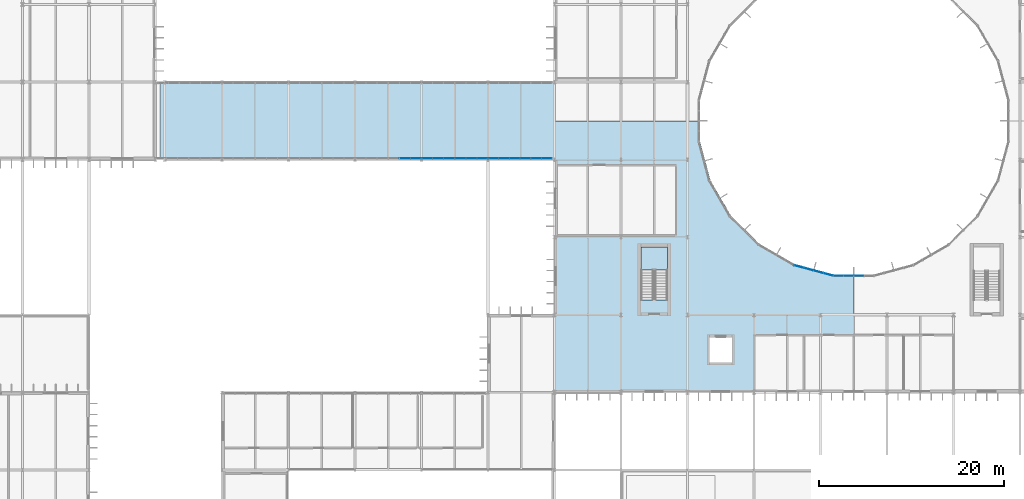
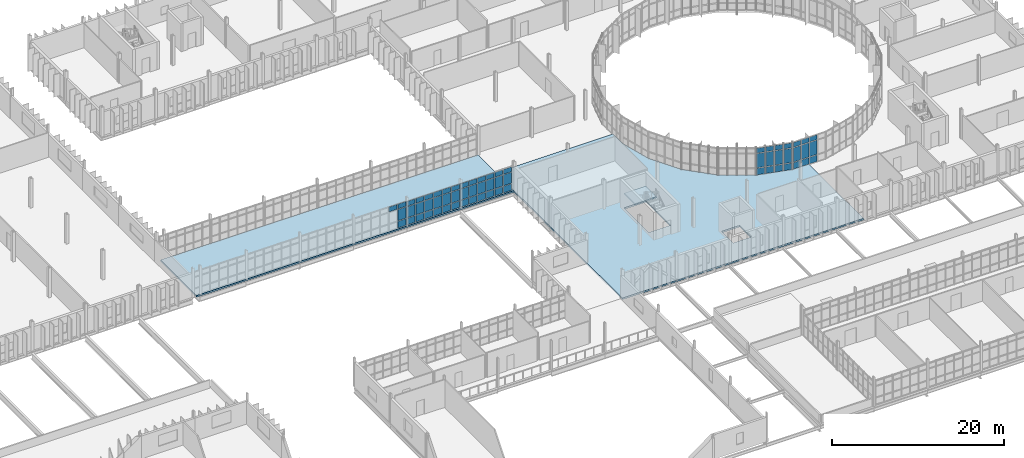
# One storey, part 71 of 119: 61 plates, 3 slabs, 6 elements without a shape of their own.
"""IFC4 building model written with IfcOpenShell, lengths in metres."""

from ifc_helpers import new_model, si_unit, direction, frame, origin, origin_2d, place, context, subcontext, project, spatial, polyline, rectangle, outline, extrude, material, layer, layer_set, type_object, element, aggregate, save


model = new_model("IFC4")

# Units and contexts
model_context = context("Model", 3, precision=1e-05, world=origin(), true_north=direction((0.0, 1.0)))
body_context = subcontext(model_context, "Body", "Model", "MODEL_VIEW")
ifc_project = project(units=[si_unit("LENGTHUNIT", "METRE"), si_unit("AREAUNIT", "SQUARE_METRE"), si_unit("VOLUMEUNIT", "CUBIC_METRE"), si_unit("PLANEANGLEUNIT", "RADIAN"), si_unit("MASSUNIT", "GRAM", prefix="KILO")], contexts=[model_context])

# Site, building, storey
site_placement = place(None, origin())
site = spatial("IfcSite", under=ifc_project, at=site_placement, CompositionType="ELEMENT")
building_placement = place(site_placement, origin())
building = spatial("IfcBuilding", under=site, at=building_placement, Name="Qelthora Terrace Specialist Clinic", CompositionType="ELEMENT")
storey_placement = place(building_placement, frame((0.0, 0.0, 4.800048828125)))
storey = spatial("IfcBuildingStorey", under=building, at=storey_placement, Name="L01", CompositionType="ELEMENT", Elevation=4.800048828125)

# Curtain wall, plates
ifc_material_1 = material(Name="Aluminium anodized bronze", Category="aluminium")
curtain_wall_type_1 = type_object("IfcCurtainWallType", Name="CW-CRTE-UPP", PredefinedType="NOTDEFINED", material=ifc_material_1)
curtain_wall_1_placement = place(storey_placement, origin())
curtain_wall_1 = element("IfcCurtainWall", 1, at=curtain_wall_1_placement, inside=storey, type_object=curtain_wall_type_1, Name="Curtain wall CW-CE-L01-17", PredefinedType="NOTDEFINED")
ifc_material_2 = material(Name="Low-E triple-silver insulating glass", Category="glass")
ifc_layer_1 = layer(ifc_material_2, 0.035888671875)
ifc_layer_set_1 = layer_set([ifc_layer_1], Name="Low-E triple-silver insulating glass")
plate_type = type_object("IfcPlateType", Name="CWP-IGU-36", PredefinedType="CURTAIN_PANEL", material=ifc_layer_set_1)
plate_1_placement = place(storey_placement, frame((120.0693359375, 47.220947265625, 0.0849609375), z_axis=(0.0, 0.0, 1.0), x_axis=(0.965925826289, -0.258819045103, 0.0)))
plate_1 = element("IfcPlate", 2, at=plate_1_placement, type_object=plate_type, Name="CW-CE-L01-17 glazed panel 1", PredefinedType="CURTAIN_PANEL", context=body_context, shape_type="SweptSolid", body=[
    extrude(rectangle(XDim=0.996337890625, YDim=0.035888671875, at=origin_2d()), origin(), (0.0, 0.0, 1.0), 0.919921875),
])
plate_2_placement = place(storey_placement, frame((120.0693359375, 47.220947265625, 1.094970703125), z_axis=(0.0, 0.0, 1.0), x_axis=(0.965925826289, -0.258819045103, 0.0)))
plate_2 = element("IfcPlate", 3, at=plate_2_placement, type_object=plate_type, Name="CW-CE-L01-17 glazed panel 2", PredefinedType="CURTAIN_PANEL", context=body_context, shape_type="SweptSolid", body=[
    extrude(rectangle(XDim=0.996337890625, YDim=0.035888671875, at=origin_2d()), origin(), (0.0, 0.0, 1.0), 2.0048828125),
])
plate_3_placement = place(storey_placement, frame((120.0693359375, 47.220947265625, 3.18994140625), z_axis=(0.0, 0.0, 1.0), x_axis=(0.965925826289, -0.258819045103, 0.0)))
plate_3 = element("IfcPlate", 4, at=plate_3_placement, type_object=plate_type, Name="CW-CE-L01-17 glazed panel 3", PredefinedType="CURTAIN_PANEL", context=body_context, shape_type="SweptSolid", body=[
    extrude(rectangle(XDim=0.996337890625, YDim=0.035888671875, at=origin_2d()), origin(), (0.0, 0.0, 1.0), 0.669921875),
])
plate_4_placement = place(storey_placement, frame((121.12841796875, 46.937255859375, 0.0849609375), z_axis=(0.0, 0.0, 1.0), x_axis=(0.965925826289, -0.258819045103, 0.0)))
plate_4 = element("IfcPlate", 5, at=plate_4_placement, type_object=plate_type, Name="CW-CE-L01-17 glazed panel 4", PredefinedType="CURTAIN_PANEL", context=body_context, shape_type="SweptSolid", body=[
    extrude(rectangle(XDim=0.996337890625, YDim=0.035888671875, at=origin_2d()), origin(), (0.0, 0.0, 1.0), 0.919921875),
])
plate_5_placement = place(storey_placement, frame((121.12841796875, 46.937255859375, 1.094970703125), z_axis=(0.0, 0.0, 1.0), x_axis=(0.965925826289, -0.258819045103, 0.0)))
plate_5 = element("IfcPlate", 6, at=plate_5_placement, type_object=plate_type, Name="CW-CE-L01-17 glazed panel 5", PredefinedType="CURTAIN_PANEL", context=body_context, shape_type="SweptSolid", body=[
    extrude(rectangle(XDim=0.996337890625, YDim=0.035888671875, at=origin_2d()), origin(), (0.0, 0.0, 1.0), 2.0048828125),
])
plate_6_placement = place(storey_placement, frame((121.12841796875, 46.937255859375, 3.18994140625), z_axis=(0.0, 0.0, 1.0), x_axis=(0.965925826289, -0.258819045103, 0.0)))
plate_6 = element("IfcPlate", 7, at=plate_6_placement, type_object=plate_type, Name="CW-CE-L01-17 glazed panel 6", PredefinedType="CURTAIN_PANEL", context=body_context, shape_type="SweptSolid", body=[
    extrude(rectangle(XDim=0.996337890625, YDim=0.035888671875, at=origin_2d()), origin(), (0.0, 0.0, 1.0), 0.669921875),
])
plate_7_placement = place(storey_placement, frame((122.1875, 46.653564453125, 0.0849609375), z_axis=(0.0, 0.0, 1.0), x_axis=(0.965925826289, -0.258819045103, 0.0)))
plate_7 = element("IfcPlate", 8, at=plate_7_placement, type_object=plate_type, Name="CW-CE-L01-17 glazed panel 7", PredefinedType="CURTAIN_PANEL", context=body_context, shape_type="SweptSolid", body=[
    extrude(rectangle(XDim=0.996337890625, YDim=0.035888671875, at=origin_2d()), origin(), (0.0, 0.0, 1.0), 0.919921875),
])
plate_8_placement = place(storey_placement, frame((122.1875, 46.653564453125, 1.094970703125), z_axis=(0.0, 0.0, 1.0), x_axis=(0.965925826289, -0.258819045103, 0.0)))
plate_8 = element("IfcPlate", 9, at=plate_8_placement, type_object=plate_type, Name="CW-CE-L01-17 glazed panel 8", PredefinedType="CURTAIN_PANEL", context=body_context, shape_type="SweptSolid", body=[
    extrude(rectangle(XDim=0.996337890625, YDim=0.035888671875, at=origin_2d()), origin(), (0.0, 0.0, 1.0), 2.0048828125),
])
plate_9_placement = place(storey_placement, frame((122.1875, 46.653564453125, 3.18994140625), z_axis=(0.0, 0.0, 1.0), x_axis=(0.965925826289, -0.258819045103, 0.0)))
plate_9 = element("IfcPlate", 10, at=plate_9_placement, type_object=plate_type, Name="CW-CE-L01-17 glazed panel 9", PredefinedType="CURTAIN_PANEL", context=body_context, shape_type="SweptSolid", body=[
    extrude(rectangle(XDim=0.996337890625, YDim=0.035888671875, at=origin_2d()), origin(), (0.0, 0.0, 1.0), 0.669921875),
])
plate_10_placement = place(storey_placement, frame((123.24658203125, 46.36962890625, 0.0849609375), z_axis=(0.0, 0.0, 1.0), x_axis=(0.965925826289, -0.258819045103, 0.0)))
plate_10 = element("IfcPlate", 11, at=plate_10_placement, type_object=plate_type, Name="CW-CE-L01-17 glazed panel 10", PredefinedType="CURTAIN_PANEL", context=body_context, shape_type="SweptSolid", body=[
    extrude(rectangle(XDim=0.996337890625, YDim=0.035888671875, at=origin_2d()), origin(), (0.0, 0.0, 1.0), 0.919921875),
])
plate_11_placement = place(storey_placement, frame((123.24658203125, 46.36962890625, 1.094970703125), z_axis=(0.0, 0.0, 1.0), x_axis=(0.965925826289, -0.258819045103, 0.0)))
plate_11 = element("IfcPlate", 12, at=plate_11_placement, type_object=plate_type, Name="CW-CE-L01-17 glazed panel 11", PredefinedType="CURTAIN_PANEL", context=body_context, shape_type="SweptSolid", body=[
    extrude(rectangle(XDim=0.996337890625, YDim=0.035888671875, at=origin_2d()), origin(), (0.0, 0.0, 1.0), 2.0048828125),
])
plate_12_placement = place(storey_placement, frame((123.24658203125, 46.36962890625, 3.18994140625), z_axis=(0.0, 0.0, 1.0), x_axis=(0.965925826289, -0.258819045103, 0.0)))
plate_12 = element("IfcPlate", 13, at=plate_12_placement, type_object=plate_type, Name="CW-CE-L01-17 glazed panel 12", PredefinedType="CURTAIN_PANEL", context=body_context, shape_type="SweptSolid", body=[
    extrude(rectangle(XDim=0.996337890625, YDim=0.035888671875, at=origin_2d()), origin(), (0.0, 0.0, 1.0), 0.669921875),
])
aggregate(curtain_wall_1, [plate_1, plate_2, plate_3, plate_4, plate_5, plate_6, plate_7, plate_8, plate_9, plate_10, plate_11, plate_12])

curtain_wall_2_placement = place(storey_placement, origin())
curtain_wall_2 = element("IfcCurtainWall", 14, at=curtain_wall_2_placement, inside=storey, type_object=curtain_wall_type_1, Name="Curtain wall CW-CE-L01-18", PredefinedType="NOTDEFINED")
plate_13_placement = place(storey_placement, frame((124.35546875, 46.2236328125, 0.0849609375), z_axis=(0.0, 0.0, 1.0), x_axis=(1.0, 0.0, 0.0)))
plate_13 = element("IfcPlate", 15, at=plate_13_placement, type_object=plate_type, Name="CW-CE-L01-18 glazed panel 1", PredefinedType="CURTAIN_PANEL", context=body_context, shape_type="SweptSolid", body=[
    extrude(rectangle(XDim=0.996337890625, YDim=0.035888671875, at=origin_2d()), origin(), (0.0, 0.0, 1.0), 0.919921875),
])
plate_14_placement = place(storey_placement, frame((124.35546875, 46.2236328125, 1.094970703125), z_axis=(0.0, 0.0, 1.0), x_axis=(1.0, 0.0, 0.0)))
plate_14 = element("IfcPlate", 16, at=plate_14_placement, type_object=plate_type, Name="CW-CE-L01-18 glazed panel 2", PredefinedType="CURTAIN_PANEL", context=body_context, shape_type="SweptSolid", body=[
    extrude(rectangle(XDim=0.996337890625, YDim=0.035888671875, at=origin_2d()), origin(), (0.0, 0.0, 1.0), 2.0048828125),
])
plate_15_placement = place(storey_placement, frame((124.35546875, 46.2236328125, 3.18994140625), z_axis=(0.0, 0.0, 1.0), x_axis=(1.0, 0.0, 0.0)))
plate_15 = element("IfcPlate", 17, at=plate_15_placement, type_object=plate_type, Name="CW-CE-L01-18 glazed panel 3", PredefinedType="CURTAIN_PANEL", context=body_context, shape_type="SweptSolid", body=[
    extrude(rectangle(XDim=0.996337890625, YDim=0.035888671875, at=origin_2d()), origin(), (0.0, 0.0, 1.0), 0.669921875),
])
plate_16_placement = place(storey_placement, frame((125.451904296875, 46.2236328125, 0.0849609375), z_axis=(0.0, 0.0, 1.0), x_axis=(1.0, 0.0, 0.0)))
plate_16 = element("IfcPlate", 18, at=plate_16_placement, type_object=plate_type, Name="CW-CE-L01-18 glazed panel 4", PredefinedType="CURTAIN_PANEL", context=body_context, shape_type="SweptSolid", body=[
    extrude(rectangle(XDim=0.996337890625, YDim=0.035888671875, at=origin_2d()), origin(), (0.0, 0.0, 1.0), 0.919921875),
])
plate_17_placement = place(storey_placement, frame((125.451904296875, 46.2236328125, 1.094970703125), z_axis=(0.0, 0.0, 1.0), x_axis=(1.0, 0.0, 0.0)))
plate_17 = element("IfcPlate", 19, at=plate_17_placement, type_object=plate_type, Name="CW-CE-L01-18 glazed panel 5", PredefinedType="CURTAIN_PANEL", context=body_context, shape_type="SweptSolid", body=[
    extrude(rectangle(XDim=0.996337890625, YDim=0.035888671875, at=origin_2d()), origin(), (0.0, 0.0, 1.0), 2.0048828125),
])
plate_18_placement = place(storey_placement, frame((125.451904296875, 46.2236328125, 3.18994140625), z_axis=(0.0, 0.0, 1.0), x_axis=(1.0, 0.0, 0.0)))
plate_18 = element("IfcPlate", 20, at=plate_18_placement, type_object=plate_type, Name="CW-CE-L01-18 glazed panel 6", PredefinedType="CURTAIN_PANEL", context=body_context, shape_type="SweptSolid", body=[
    extrude(rectangle(XDim=0.996337890625, YDim=0.035888671875, at=origin_2d()), origin(), (0.0, 0.0, 1.0), 0.669921875),
])
plate_19_placement = place(storey_placement, frame((126.548095703125, 46.2236328125, 0.0849609375), z_axis=(0.0, 0.0, 1.0), x_axis=(1.0, 0.0, 0.0)))
plate_19 = element("IfcPlate", 21, at=plate_19_placement, type_object=plate_type, Name="CW-CE-L01-18 glazed panel 7", PredefinedType="CURTAIN_PANEL", context=body_context, shape_type="SweptSolid", body=[
    extrude(rectangle(XDim=0.996337890625, YDim=0.035888671875, at=origin_2d()), origin(), (0.0, 0.0, 1.0), 0.919921875),
])
plate_20_placement = place(storey_placement, frame((126.548095703125, 46.2236328125, 1.094970703125), z_axis=(0.0, 0.0, 1.0), x_axis=(1.0, 0.0, 0.0)))
plate_20 = element("IfcPlate", 22, at=plate_20_placement, type_object=plate_type, Name="CW-CE-L01-18 glazed panel 8", PredefinedType="CURTAIN_PANEL", context=body_context, shape_type="SweptSolid", body=[
    extrude(rectangle(XDim=0.996337890625, YDim=0.035888671875, at=origin_2d()), origin(), (0.0, 0.0, 1.0), 2.0048828125),
])
plate_21_placement = place(storey_placement, frame((126.548095703125, 46.2236328125, 3.18994140625), z_axis=(0.0, 0.0, 1.0), x_axis=(1.0, 0.0, 0.0)))
plate_21 = element("IfcPlate", 23, at=plate_21_placement, type_object=plate_type, Name="CW-CE-L01-18 glazed panel 9", PredefinedType="CURTAIN_PANEL", context=body_context, shape_type="SweptSolid", body=[
    extrude(rectangle(XDim=0.996337890625, YDim=0.035888671875, at=origin_2d()), origin(), (0.0, 0.0, 1.0), 0.669921875),
])
aggregate(curtain_wall_2, [plate_13, plate_14, plate_15, plate_16, plate_17, plate_18, plate_19, plate_20, plate_21])

curtain_wall_type_2 = type_object("IfcCurtainWallType", Name="CW-BRG-L01", PredefinedType="NOTDEFINED", material=ifc_material_1)
curtain_wall_3_placement = place(storey_placement, origin())
curtain_wall_3 = element("IfcCurtainWall", 24, at=curtain_wall_3_placement, inside=storey, type_object=curtain_wall_type_2, Name="Curtain wall CW-L01-231", PredefinedType="NOTDEFINED")
plate_22_placement = place(storey_placement, frame((77.39990234375, 58.919921875, 2.77392578125), z_axis=(0.0, 0.0, 1.0), x_axis=(1.0, 0.0, 0.0)))
plate_22 = element("IfcPlate", 25, at=plate_22_placement, type_object=plate_type, Name="CW-L01-231 glazed panel 15", PredefinedType="CURTAIN_PANEL", context=body_context, shape_type="SweptSolid", body=[
    extrude(rectangle(XDim=1.10009765625, YDim=0.035888671875, at=origin_2d()), origin(), (0.0, 0.0, 1.0), 0.669921875),
])
plate_23_placement = place(storey_placement, frame((78.60009765625, 58.919921875, 0.0849609375), z_axis=(0.0, 0.0, 1.0), x_axis=(1.0, 0.0, 0.0)))
plate_23 = element("IfcPlate", 26, at=plate_23_placement, type_object=plate_type, Name="CW-L01-231 glazed panel 16", PredefinedType="CURTAIN_PANEL", context=body_context, shape_type="SweptSolid", body=[
    extrude(rectangle(XDim=1.10009765625, YDim=0.035888671875, at=origin_2d()), origin(), (0.0, 0.0, 1.0), 0.919921875),
])
plate_24_placement = place(storey_placement, frame((78.60009765625, 58.919921875, 1.0947265625), z_axis=(0.0, 0.0, 1.0), x_axis=(1.0, 0.0, 0.0)))
plate_24 = element("IfcPlate", 27, at=plate_24_placement, type_object=plate_type, Name="CW-L01-231 glazed panel 17", PredefinedType="CURTAIN_PANEL", context=body_context, shape_type="SweptSolid", body=[
    extrude(rectangle(XDim=1.10009765625, YDim=0.035888671875, at=origin_2d()), origin(), (0.0, 0.0, 1.0), 1.589111328125),
])
plate_25_placement = place(storey_placement, frame((78.60009765625, 58.919921875, 2.77392578125), z_axis=(0.0, 0.0, 1.0), x_axis=(1.0, 0.0, 0.0)))
plate_25 = element("IfcPlate", 28, at=plate_25_placement, type_object=plate_type, Name="CW-L01-231 glazed panel 18", PredefinedType="CURTAIN_PANEL", context=body_context, shape_type="SweptSolid", body=[
    extrude(rectangle(XDim=1.10009765625, YDim=0.035888671875, at=origin_2d()), origin(), (0.0, 0.0, 1.0), 0.669921875),
])
aggregate(curtain_wall_3, [plate_22, plate_23, plate_24, plate_25])

curtain_wall_4_placement = place(storey_placement, origin())
curtain_wall_4 = element("IfcCurtainWall", 29, at=curtain_wall_4_placement, inside=storey, type_object=curtain_wall_type_2, Name="Curtain wall CW-L01-232", PredefinedType="NOTDEFINED")
plate_26_placement = place(storey_placement, frame((79.800048828125, 58.919921875, 0.0849609375), z_axis=(0.0, 0.0, 1.0), x_axis=(1.0, 0.0, 0.0)))
plate_26 = element("IfcPlate", 30, at=plate_26_placement, type_object=plate_type, Name="CW-L01-232 glazed panel 1", PredefinedType="CURTAIN_PANEL", context=body_context, shape_type="SweptSolid", body=[
    extrude(rectangle(XDim=1.10009765625, YDim=0.035888671875, at=origin_2d()), origin(), (0.0, 0.0, 1.0), 0.919921875),
])
plate_27_placement = place(storey_placement, frame((79.800048828125, 58.919921875, 1.094970703125), z_axis=(0.0, 0.0, 1.0), x_axis=(1.0, 0.0, 0.0)))
plate_27 = element("IfcPlate", 31, at=plate_27_placement, type_object=plate_type, Name="CW-L01-232 glazed panel 2", PredefinedType="CURTAIN_PANEL", context=body_context, shape_type="SweptSolid", body=[
    extrude(rectangle(XDim=1.10009765625, YDim=0.035888671875, at=origin_2d()), origin(), (0.0, 0.0, 1.0), 1.5419921875),
])
plate_28_placement = place(storey_placement, frame((79.800048828125, 58.919921875, 2.72705078125), z_axis=(0.0, 0.0, 1.0), x_axis=(1.0, 0.0, 0.0)))
plate_28 = element("IfcPlate", 32, at=plate_28_placement, type_object=plate_type, Name="CW-L01-232 glazed panel 3", PredefinedType="CURTAIN_PANEL", context=body_context, shape_type="SweptSolid", body=[
    extrude(rectangle(XDim=1.10009765625, YDim=0.035888671875, at=origin_2d()), origin(), (0.0, 0.0, 1.0), 0.669921875),
])
plate_29_placement = place(storey_placement, frame((81.0, 58.919921875, 0.0849609375), z_axis=(0.0, 0.0, 1.0), x_axis=(1.0, 0.0, 0.0)))
plate_29 = element("IfcPlate", 33, at=plate_29_placement, type_object=plate_type, Name="CW-L01-232 glazed panel 4", PredefinedType="CURTAIN_PANEL", context=body_context, shape_type="SweptSolid", body=[
    extrude(rectangle(XDim=1.10009765625, YDim=0.035888671875, at=origin_2d()), origin(), (0.0, 0.0, 1.0), 0.919921875),
])
plate_30_placement = place(storey_placement, frame((81.0, 58.919921875, 1.094970703125), z_axis=(0.0, 0.0, 1.0), x_axis=(1.0, 0.0, 0.0)))
plate_30 = element("IfcPlate", 34, at=plate_30_placement, type_object=plate_type, Name="CW-L01-232 glazed panel 5", PredefinedType="CURTAIN_PANEL", context=body_context, shape_type="SweptSolid", body=[
    extrude(rectangle(XDim=1.10009765625, YDim=0.035888671875, at=origin_2d()), origin(), (0.0, 0.0, 1.0), 1.5419921875),
])
plate_31_placement = place(storey_placement, frame((81.0, 58.919921875, 2.72705078125), z_axis=(0.0, 0.0, 1.0), x_axis=(1.0, 0.0, 0.0)))
plate_31 = element("IfcPlate", 35, at=plate_31_placement, type_object=plate_type, Name="CW-L01-232 glazed panel 6", PredefinedType="CURTAIN_PANEL", context=body_context, shape_type="SweptSolid", body=[
    extrude(rectangle(XDim=1.10009765625, YDim=0.035888671875, at=origin_2d()), origin(), (0.0, 0.0, 1.0), 0.669921875),
])
plate_32_placement = place(storey_placement, frame((82.199951171875, 58.919921875, 0.0849609375), z_axis=(0.0, 0.0, 1.0), x_axis=(1.0, 0.0, 0.0)))
plate_32 = element("IfcPlate", 36, at=plate_32_placement, type_object=plate_type, Name="CW-L01-232 glazed panel 7", PredefinedType="CURTAIN_PANEL", context=body_context, shape_type="SweptSolid", body=[
    extrude(rectangle(XDim=1.10009765625, YDim=0.035888671875, at=origin_2d()), origin(), (0.0, 0.0, 1.0), 0.919921875),
])
plate_33_placement = place(storey_placement, frame((82.199951171875, 58.919921875, 1.094970703125), z_axis=(0.0, 0.0, 1.0), x_axis=(1.0, 0.0, 0.0)))
plate_33 = element("IfcPlate", 37, at=plate_33_placement, type_object=plate_type, Name="CW-L01-232 glazed panel 8", PredefinedType="CURTAIN_PANEL", context=body_context, shape_type="SweptSolid", body=[
    extrude(rectangle(XDim=1.10009765625, YDim=0.035888671875, at=origin_2d()), origin(), (0.0, 0.0, 1.0), 1.5419921875),
])
plate_34_placement = place(storey_placement, frame((82.199951171875, 58.919921875, 2.72705078125), z_axis=(0.0, 0.0, 1.0), x_axis=(1.0, 0.0, 0.0)))
plate_34 = element("IfcPlate", 38, at=plate_34_placement, type_object=plate_type, Name="CW-L01-232 glazed panel 9", PredefinedType="CURTAIN_PANEL", context=body_context, shape_type="SweptSolid", body=[
    extrude(rectangle(XDim=1.10009765625, YDim=0.035888671875, at=origin_2d()), origin(), (0.0, 0.0, 1.0), 0.669921875),
])
plate_35_placement = place(storey_placement, frame((83.39990234375, 58.919921875, 0.0849609375), z_axis=(0.0, 0.0, 1.0), x_axis=(1.0, 0.0, 0.0)))
plate_35 = element("IfcPlate", 39, at=plate_35_placement, type_object=plate_type, Name="CW-L01-232 glazed panel 10", PredefinedType="CURTAIN_PANEL", context=body_context, shape_type="SweptSolid", body=[
    extrude(rectangle(XDim=1.10009765625, YDim=0.035888671875, at=origin_2d()), origin(), (0.0, 0.0, 1.0), 0.919921875),
])
plate_36_placement = place(storey_placement, frame((83.39990234375, 58.919921875, 1.094970703125), z_axis=(0.0, 0.0, 1.0), x_axis=(1.0, 0.0, 0.0)))
plate_36 = element("IfcPlate", 40, at=plate_36_placement, type_object=plate_type, Name="CW-L01-232 glazed panel 11", PredefinedType="CURTAIN_PANEL", context=body_context, shape_type="SweptSolid", body=[
    extrude(rectangle(XDim=1.10009765625, YDim=0.035888671875, at=origin_2d()), origin(), (0.0, 0.0, 1.0), 1.5419921875),
])
plate_37_placement = place(storey_placement, frame((83.39990234375, 58.919921875, 2.72705078125), z_axis=(0.0, 0.0, 1.0), x_axis=(1.0, 0.0, 0.0)))
plate_37 = element("IfcPlate", 41, at=plate_37_placement, type_object=plate_type, Name="CW-L01-232 glazed panel 12", PredefinedType="CURTAIN_PANEL", context=body_context, shape_type="SweptSolid", body=[
    extrude(rectangle(XDim=1.10009765625, YDim=0.035888671875, at=origin_2d()), origin(), (0.0, 0.0, 1.0), 0.669921875),
])
plate_38_placement = place(storey_placement, frame((84.60009765625, 58.919921875, 0.0849609375), z_axis=(0.0, 0.0, 1.0), x_axis=(1.0, 0.0, 0.0)))
plate_38 = element("IfcPlate", 42, at=plate_38_placement, type_object=plate_type, Name="CW-L01-232 glazed panel 13", PredefinedType="CURTAIN_PANEL", context=body_context, shape_type="SweptSolid", body=[
    extrude(rectangle(XDim=1.10009765625, YDim=0.035888671875, at=origin_2d()), origin(), (0.0, 0.0, 1.0), 0.919921875),
])
plate_39_placement = place(storey_placement, frame((84.60009765625, 58.919921875, 1.094970703125), z_axis=(0.0, 0.0, 1.0), x_axis=(1.0, 0.0, 0.0)))
plate_39 = element("IfcPlate", 43, at=plate_39_placement, type_object=plate_type, Name="CW-L01-232 glazed panel 14", PredefinedType="CURTAIN_PANEL", context=body_context, shape_type="SweptSolid", body=[
    extrude(rectangle(XDim=1.10009765625, YDim=0.035888671875, at=origin_2d()), origin(), (0.0, 0.0, 1.0), 1.5419921875),
])
plate_40_placement = place(storey_placement, frame((84.60009765625, 58.919921875, 2.72705078125), z_axis=(0.0, 0.0, 1.0), x_axis=(1.0, 0.0, 0.0)))
plate_40 = element("IfcPlate", 44, at=plate_40_placement, type_object=plate_type, Name="CW-L01-232 glazed panel 15", PredefinedType="CURTAIN_PANEL", context=body_context, shape_type="SweptSolid", body=[
    extrude(rectangle(XDim=1.10009765625, YDim=0.035888671875, at=origin_2d()), origin(), (0.0, 0.0, 1.0), 0.669921875),
])
plate_41_placement = place(storey_placement, frame((85.800048828125, 58.919921875, 0.0849609375), z_axis=(0.0, 0.0, 1.0), x_axis=(1.0, 0.0, 0.0)))
plate_41 = element("IfcPlate", 45, at=plate_41_placement, type_object=plate_type, Name="CW-L01-232 glazed panel 16", PredefinedType="CURTAIN_PANEL", context=body_context, shape_type="SweptSolid", body=[
    extrude(rectangle(XDim=1.10009765625, YDim=0.035888671875, at=origin_2d()), origin(), (0.0, 0.0, 1.0), 0.919921875),
])
plate_42_placement = place(storey_placement, frame((85.800048828125, 58.919921875, 1.094970703125), z_axis=(0.0, 0.0, 1.0), x_axis=(1.0, 0.0, 0.0)))
plate_42 = element("IfcPlate", 46, at=plate_42_placement, type_object=plate_type, Name="CW-L01-232 glazed panel 17", PredefinedType="CURTAIN_PANEL", context=body_context, shape_type="SweptSolid", body=[
    extrude(rectangle(XDim=1.10009765625, YDim=0.035888671875, at=origin_2d()), origin(), (0.0, 0.0, 1.0), 1.5419921875),
])
plate_43_placement = place(storey_placement, frame((85.800048828125, 58.919921875, 2.72705078125), z_axis=(0.0, 0.0, 1.0), x_axis=(1.0, 0.0, 0.0)))
plate_43 = element("IfcPlate", 47, at=plate_43_placement, type_object=plate_type, Name="CW-L01-232 glazed panel 18", PredefinedType="CURTAIN_PANEL", context=body_context, shape_type="SweptSolid", body=[
    extrude(rectangle(XDim=1.10009765625, YDim=0.035888671875, at=origin_2d()), origin(), (0.0, 0.0, 1.0), 0.669921875),
])
aggregate(curtain_wall_4, [plate_26, plate_27, plate_28, plate_29, plate_30, plate_31, plate_32, plate_33, plate_34, plate_35, plate_36, plate_37, plate_38, plate_39, plate_40, plate_41, plate_42, plate_43])

curtain_wall_5_placement = place(storey_placement, origin())
curtain_wall_5 = element("IfcCurtainWall", 48, at=curtain_wall_5_placement, inside=storey, type_object=curtain_wall_type_2, Name="Curtain wall CW-L01-233", PredefinedType="NOTDEFINED")
plate_44_placement = place(storey_placement, frame((86.978271484375, 58.919921875, 0.0849609375), z_axis=(0.0, 0.0, 1.0), x_axis=(1.0, 0.0, 0.0)))
plate_44 = element("IfcPlate", 49, at=plate_44_placement, type_object=plate_type, Name="CW-L01-233 glazed panel 1", PredefinedType="CURTAIN_PANEL", context=body_context, shape_type="SweptSolid", body=[
    extrude(rectangle(XDim=1.056640625, YDim=0.035888671875, at=origin_2d()), origin(), (0.0, 0.0, 1.0), 0.919921875),
])
plate_45_placement = place(storey_placement, frame((86.978271484375, 58.919921875, 1.094970703125), z_axis=(0.0, 0.0, 1.0), x_axis=(1.0, 0.0, 0.0)))
plate_45 = element("IfcPlate", 50, at=plate_45_placement, type_object=plate_type, Name="CW-L01-233 glazed panel 2", PredefinedType="CURTAIN_PANEL", context=body_context, shape_type="SweptSolid", body=[
    extrude(rectangle(XDim=1.056640625, YDim=0.035888671875, at=origin_2d()), origin(), (0.0, 0.0, 1.0), 1.5419921875),
])
plate_46_placement = place(storey_placement, frame((86.978271484375, 58.919921875, 2.72705078125), z_axis=(0.0, 0.0, 1.0), x_axis=(1.0, 0.0, 0.0)))
plate_46 = element("IfcPlate", 51, at=plate_46_placement, type_object=plate_type, Name="CW-L01-233 glazed panel 3", PredefinedType="CURTAIN_PANEL", context=body_context, shape_type="SweptSolid", body=[
    extrude(rectangle(XDim=1.056640625, YDim=0.035888671875, at=origin_2d()), origin(), (0.0, 0.0, 1.0), 0.669921875),
])
plate_47_placement = place(storey_placement, frame((88.135009765625, 58.919921875, 0.0849609375), z_axis=(0.0, 0.0, 1.0), x_axis=(1.0, 0.0, 0.0)))
plate_47 = element("IfcPlate", 52, at=plate_47_placement, type_object=plate_type, Name="CW-L01-233 glazed panel 4", PredefinedType="CURTAIN_PANEL", context=body_context, shape_type="SweptSolid", body=[
    extrude(rectangle(XDim=1.056640625, YDim=0.035888671875, at=origin_2d()), origin(), (0.0, 0.0, 1.0), 0.919921875),
])
plate_48_placement = place(storey_placement, frame((88.135009765625, 58.919921875, 1.094970703125), z_axis=(0.0, 0.0, 1.0), x_axis=(1.0, 0.0, 0.0)))
plate_48 = element("IfcPlate", 53, at=plate_48_placement, type_object=plate_type, Name="CW-L01-233 glazed panel 5", PredefinedType="CURTAIN_PANEL", context=body_context, shape_type="SweptSolid", body=[
    extrude(rectangle(XDim=1.056640625, YDim=0.035888671875, at=origin_2d()), origin(), (0.0, 0.0, 1.0), 1.5419921875),
])
plate_49_placement = place(storey_placement, frame((88.135009765625, 58.919921875, 2.72705078125), z_axis=(0.0, 0.0, 1.0), x_axis=(1.0, 0.0, 0.0)))
plate_49 = element("IfcPlate", 54, at=plate_49_placement, type_object=plate_type, Name="CW-L01-233 glazed panel 6", PredefinedType="CURTAIN_PANEL", context=body_context, shape_type="SweptSolid", body=[
    extrude(rectangle(XDim=1.056640625, YDim=0.035888671875, at=origin_2d()), origin(), (0.0, 0.0, 1.0), 0.669921875),
])
plate_50_placement = place(storey_placement, frame((89.291748046875, 58.919921875, 0.0849609375), z_axis=(0.0, 0.0, 1.0), x_axis=(1.0, 0.0, 0.0)))
plate_50 = element("IfcPlate", 55, at=plate_50_placement, type_object=plate_type, Name="CW-L01-233 glazed panel 7", PredefinedType="CURTAIN_PANEL", context=body_context, shape_type="SweptSolid", body=[
    extrude(rectangle(XDim=1.056640625, YDim=0.035888671875, at=origin_2d()), origin(), (0.0, 0.0, 1.0), 0.919921875),
])
plate_51_placement = place(storey_placement, frame((89.291748046875, 58.919921875, 1.094970703125), z_axis=(0.0, 0.0, 1.0), x_axis=(1.0, 0.0, 0.0)))
plate_51 = element("IfcPlate", 56, at=plate_51_placement, type_object=plate_type, Name="CW-L01-233 glazed panel 8", PredefinedType="CURTAIN_PANEL", context=body_context, shape_type="SweptSolid", body=[
    extrude(rectangle(XDim=1.056640625, YDim=0.035888671875, at=origin_2d()), origin(), (0.0, 0.0, 1.0), 1.5419921875),
])
plate_52_placement = place(storey_placement, frame((89.291748046875, 58.919921875, 2.72705078125), z_axis=(0.0, 0.0, 1.0), x_axis=(1.0, 0.0, 0.0)))
plate_52 = element("IfcPlate", 57, at=plate_52_placement, type_object=plate_type, Name="CW-L01-233 glazed panel 9", PredefinedType="CURTAIN_PANEL", context=body_context, shape_type="SweptSolid", body=[
    extrude(rectangle(XDim=1.056640625, YDim=0.035888671875, at=origin_2d()), origin(), (0.0, 0.0, 1.0), 0.669921875),
])
plate_53_placement = place(storey_placement, frame((90.4482421875, 58.919921875, 0.0849609375), z_axis=(0.0, 0.0, 1.0), x_axis=(1.0, 0.0, 0.0)))
plate_53 = element("IfcPlate", 58, at=plate_53_placement, type_object=plate_type, Name="CW-L01-233 glazed panel 10", PredefinedType="CURTAIN_PANEL", context=body_context, shape_type="SweptSolid", body=[
    extrude(rectangle(XDim=1.056640625, YDim=0.035888671875, at=origin_2d()), origin(), (0.0, 0.0, 1.0), 0.919921875),
])
plate_54_placement = place(storey_placement, frame((90.4482421875, 58.919921875, 1.094970703125), z_axis=(0.0, 0.0, 1.0), x_axis=(1.0, 0.0, 0.0)))
plate_54 = element("IfcPlate", 59, at=plate_54_placement, type_object=plate_type, Name="CW-L01-233 glazed panel 11", PredefinedType="CURTAIN_PANEL", context=body_context, shape_type="SweptSolid", body=[
    extrude(rectangle(XDim=1.056640625, YDim=0.035888671875, at=origin_2d()), origin(), (0.0, 0.0, 1.0), 1.5419921875),
])
plate_55_placement = place(storey_placement, frame((90.4482421875, 58.919921875, 2.72705078125), z_axis=(0.0, 0.0, 1.0), x_axis=(1.0, 0.0, 0.0)))
plate_55 = element("IfcPlate", 60, at=plate_55_placement, type_object=plate_type, Name="CW-L01-233 glazed panel 12", PredefinedType="CURTAIN_PANEL", context=body_context, shape_type="SweptSolid", body=[
    extrude(rectangle(XDim=1.056640625, YDim=0.035888671875, at=origin_2d()), origin(), (0.0, 0.0, 1.0), 0.669921875),
])
plate_56_placement = place(storey_placement, frame((91.60498046875, 58.919921875, 0.0849609375), z_axis=(0.0, 0.0, 1.0), x_axis=(1.0, 0.0, 0.0)))
plate_56 = element("IfcPlate", 61, at=plate_56_placement, type_object=plate_type, Name="CW-L01-233 glazed panel 13", PredefinedType="CURTAIN_PANEL", context=body_context, shape_type="SweptSolid", body=[
    extrude(rectangle(XDim=1.056640625, YDim=0.035888671875, at=origin_2d()), origin(), (0.0, 0.0, 1.0), 0.919921875),
])
plate_57_placement = place(storey_placement, frame((91.60498046875, 58.919921875, 1.094970703125), z_axis=(0.0, 0.0, 1.0), x_axis=(1.0, 0.0, 0.0)))
plate_57 = element("IfcPlate", 62, at=plate_57_placement, type_object=plate_type, Name="CW-L01-233 glazed panel 14", PredefinedType="CURTAIN_PANEL", context=body_context, shape_type="SweptSolid", body=[
    extrude(rectangle(XDim=1.056640625, YDim=0.035888671875, at=origin_2d()), origin(), (0.0, 0.0, 1.0), 1.5419921875),
])
plate_58_placement = place(storey_placement, frame((91.60498046875, 58.919921875, 2.72705078125), z_axis=(0.0, 0.0, 1.0), x_axis=(1.0, 0.0, 0.0)))
plate_58 = element("IfcPlate", 63, at=plate_58_placement, type_object=plate_type, Name="CW-L01-233 glazed panel 15", PredefinedType="CURTAIN_PANEL", context=body_context, shape_type="SweptSolid", body=[
    extrude(rectangle(XDim=1.056640625, YDim=0.035888671875, at=origin_2d()), origin(), (0.0, 0.0, 1.0), 0.669921875),
])
plate_59_placement = place(storey_placement, frame((92.76171875, 58.919921875, 0.0849609375), z_axis=(0.0, 0.0, 1.0), x_axis=(1.0, 0.0, 0.0)))
plate_59 = element("IfcPlate", 64, at=plate_59_placement, type_object=plate_type, Name="CW-L01-233 glazed panel 16", PredefinedType="CURTAIN_PANEL", context=body_context, shape_type="SweptSolid", body=[
    extrude(rectangle(XDim=1.056640625, YDim=0.035888671875, at=origin_2d()), origin(), (0.0, 0.0, 1.0), 0.919921875),
])
plate_60_placement = place(storey_placement, frame((92.76171875, 58.919921875, 1.094970703125), z_axis=(0.0, 0.0, 1.0), x_axis=(1.0, 0.0, 0.0)))
plate_60 = element("IfcPlate", 65, at=plate_60_placement, type_object=plate_type, Name="CW-L01-233 glazed panel 17", PredefinedType="CURTAIN_PANEL", context=body_context, shape_type="SweptSolid", body=[
    extrude(rectangle(XDim=1.056640625, YDim=0.035888671875, at=origin_2d()), origin(), (0.0, 0.0, 1.0), 1.5419921875),
])
plate_61_placement = place(storey_placement, frame((92.76171875, 58.919921875, 2.72705078125), z_axis=(0.0, 0.0, 1.0), x_axis=(1.0, 0.0, 0.0)))
plate_61 = element("IfcPlate", 66, at=plate_61_placement, type_object=plate_type, Name="CW-L01-233 glazed panel 18", PredefinedType="CURTAIN_PANEL", context=body_context, shape_type="SweptSolid", body=[
    extrude(rectangle(XDim=1.056640625, YDim=0.035888671875, at=origin_2d()), origin(), (0.0, 0.0, 1.0), 0.669921875),
])
aggregate(curtain_wall_5, [plate_44, plate_45, plate_46, plate_47, plate_48, plate_49, plate_50, plate_51, plate_52, plate_53, plate_54, plate_55, plate_56, plate_57, plate_58, plate_59, plate_60, plate_61])

# Slabs
ifc_material_3 = material(Name="Concrete C30/37", Category="concrete")
ifc_layer_2 = layer(ifc_material_3, 0.219970703125)
ifc_layer_set_2 = layer_set([ifc_layer_2], Name="Concrete C30/37")
slab_type_1 = type_object("IfcSlabType", Name="SLB-FLR-220-C30", PredefinedType="FLOOR", material=ifc_layer_set_2)
slab_1_placement = place(storey_placement, frame((0.0, 0.0, -0.219970703125)))
element("IfcSlab", 67, at=slab_1_placement, inside=storey, type_object=slab_type_1, Name="L01 V4 slab SLB-L01-V4-1A", PredefinedType="FLOOR", context=body_context, shape_type="SweptSolid", body=[
    extrude(outline(polyline([(93.60009765625, 33.60009765625), (93.60009765625, 63.0), (109.34375, 63.0), (109.34375, 60.80712890625), (110.478759765625, 56.57080078125), (112.671630859375, 52.772705078125), (115.772705078125, 49.671630859375), (119.57080078125, 47.478759765625), (123.80712890625, 46.34375), (126.0, 46.34375), (126.0, 33.60009765625), (93.60009765625, 33.60009765625)]), holes=[polyline([(112.800048828125, 36.85009765625), (112.800048828125, 39.550048828125), (110.39990234375, 39.550048828125), (110.39990234375, 36.85009765625), (112.800048828125, 36.85009765625)]), polyline([(105.85009765625, 43.6005859375), (105.85009765625, 49.35009765625), (102.949951171875, 49.35009765625), (102.949951171875, 43.6005859375), (105.85009765625, 43.6005859375)])]), origin(), (0.0, 0.0, 1.0), 0.219970703125),
])
slab_2_placement = place(storey_placement, frame((0.0, 0.0, -0.219970703125)))
element("IfcSlab", 68, at=slab_2_placement, inside=storey, type_object=slab_type_1, Name="L01 V7 slab SLB-L01-BRG1", PredefinedType="FLOOR", context=body_context, shape_type="SweptSolid", body=[
    extrude(outline(polyline([(50.949951171875, 67.199951171875), (93.60009765625, 67.199951171875), (93.60009765625, 58.800048828125), (50.949951171875, 58.800048828125), (50.949951171875, 67.199951171875)])), origin(), (0.0, 0.0, 1.0), 0.219970703125),
])

# Stair, slab
stair_type = type_object("IfcStairType", Name="STR-175-295", PredefinedType="HALF_TURN_STAIR", material=ifc_material_3)
stair_placement = place(storey_placement, origin())
stair = element("IfcStair", 69, at=stair_placement, inside=storey, type_object=stair_type, Name="L01 Enclosed Exit Stair ST-05", PredefinedType="HALF_TURN_STAIR")
ifc_layer_3 = layer(ifc_material_3, 0.199951171875)
ifc_layer_set_3 = layer_set([ifc_layer_3], Name="Concrete C30/37")
slab_type_2 = type_object("IfcSlabType", Name="SLB-LAND-200-C30", PredefinedType="LANDING", material=ifc_layer_set_3)
slab_3_placement = place(storey_placement, frame((0.0, 0.0, 1.89990234375)))
slab_3 = element("IfcSlab", 70, at=slab_3_placement, type_object=slab_type_2, Name="ST-05 landing 1", PredefinedType="LANDING", context=body_context, shape_type="SweptSolid", body=[
    extrude(outline(polyline([(105.85009765625, 46.844970703125), (105.85009765625, 49.35009765625), (102.949951171875, 49.35009765625), (102.949951171875, 46.844970703125), (105.85009765625, 46.844970703125)])), origin(), (0.0, 0.0, 1.0), 0.199951171875),
])
aggregate(stair, [slab_3])

save(model, "model.ifc")
